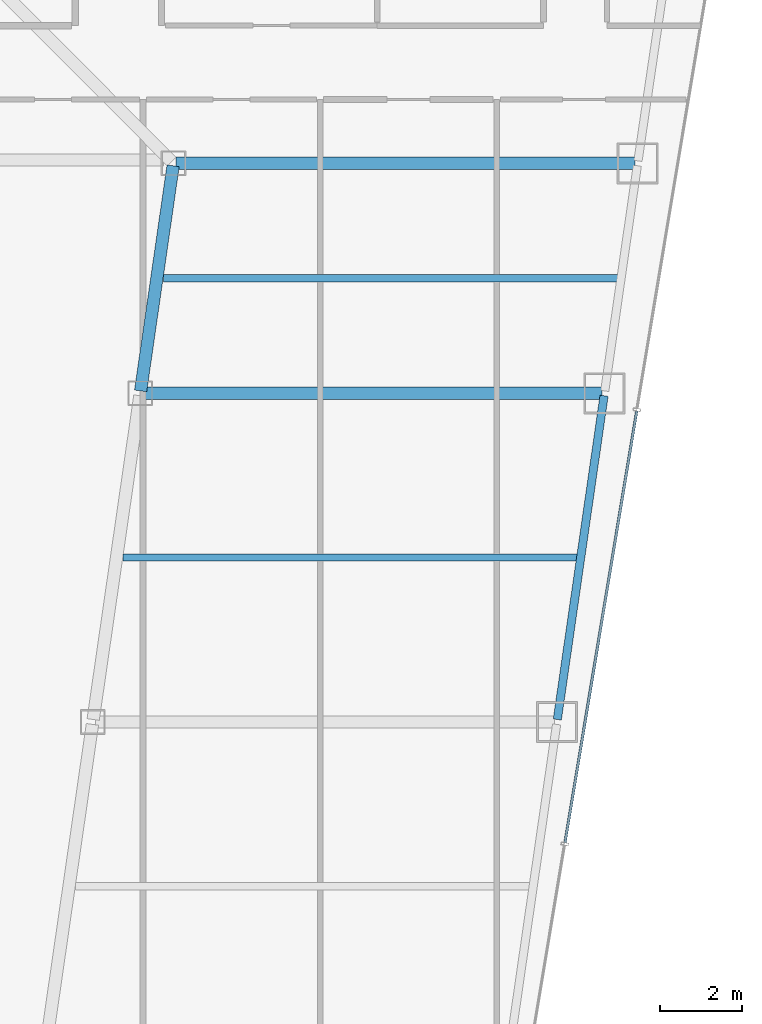
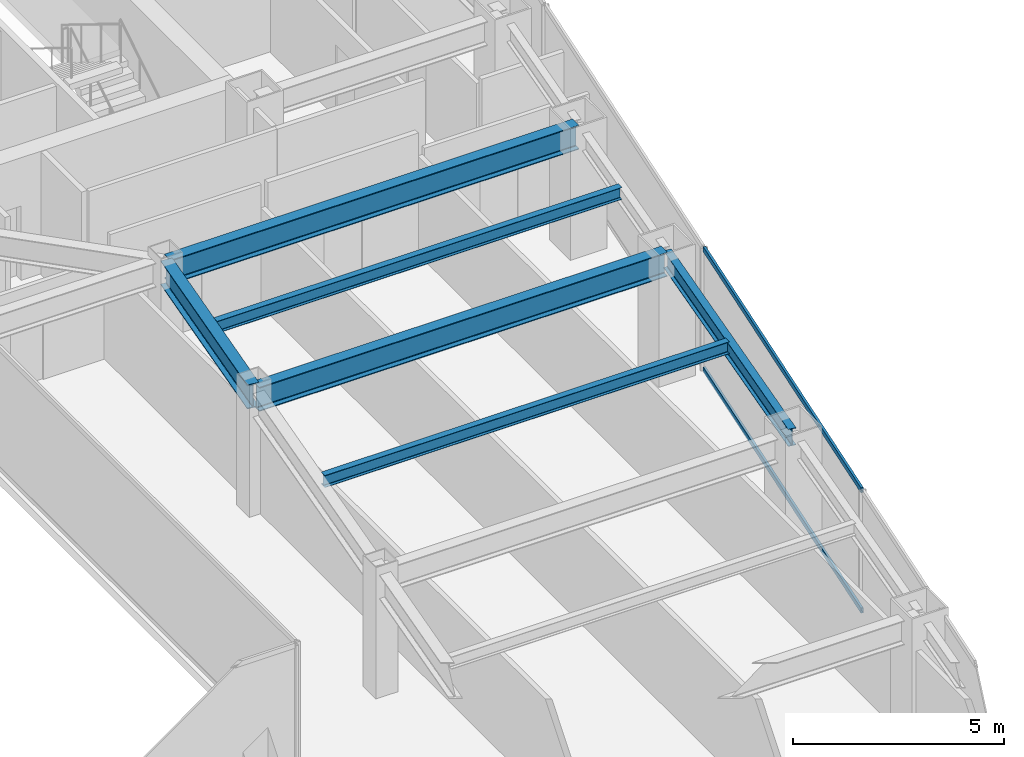
# One storey, part 17 of 36: 6 beams, 2 members, 1 element without a shape of its own.
"""IFC4 building model written with IfcOpenShell, lengths in metres."""

from ifc_helpers import new_model, si_unit, direction, frame, origin, origin_2d, place, context, subcontext, project, spatial, hollow_rectangle, i_section, extrude, material, material_profile, profile_set, type_object, element, aggregate, save


model = new_model("IFC4")

# Units and contexts
model_context = context("Model", 3, precision=1e-05, world=origin(), true_north=direction((0.0, 1.0)))
body_context = subcontext(model_context, "Body", "Model", "MODEL_VIEW")
ifc_project = project(units=[si_unit("LENGTHUNIT", "METRE"), si_unit("AREAUNIT", "SQUARE_METRE"), si_unit("VOLUMEUNIT", "CUBIC_METRE"), si_unit("PLANEANGLEUNIT", "RADIAN"), si_unit("MASSUNIT", "GRAM", prefix="KILO")], contexts=[model_context])

# Site, building, storey
site_placement = place(None, origin())
site = spatial("IfcSite", under=ifc_project, at=site_placement, CompositionType="ELEMENT")
building_placement = place(site_placement, origin())
building = spatial("IfcBuilding", under=site, at=building_placement, Name="Saevonmaru Cultural Tower", CompositionType="ELEMENT")
storey_placement = place(building_placement, frame((0.0, 0.0, 148.60009765625)))
storey = spatial("IfcBuildingStorey", under=building, at=storey_placement, Name="L32", CompositionType="ELEMENT", Elevation=148.60009765625)

# Beams
ifc_material_1 = material(Name="Steel SM355", Category="steel")
ifc_material_profile_1 = material_profile(ifc_material_1, i_section(OverallWidth=0.300048828125, OverallDepth=0.699951171875, WebThickness=0.012939453125, FlangeThickness=0.02392578125, FilletRadius=0.02587890625, at=origin_2d()), Name="H-700x300x13x24")
ifc_profile_set_1 = profile_set([ifc_material_profile_1], Name="Steel SM355")
beam_type_1 = type_object("IfcBeamType", Name="BM-G-H700", PredefinedType="BEAM", material=ifc_profile_set_1)
beam_1_placement = place(storey_placement, frame((40.3916015625, 32.059326171875, 3.199951171875), z_axis=(0.142964121327, 0.989727871697, 0.0), x_axis=(-0.989727871697, 0.142964121327, 0.0)))
element("IfcBeam", 1, at=beam_1_placement, inside=storey, type_object=beam_type_1, Name="L32 East Atrium Girder 4", PredefinedType="BEAM", context=body_context, shape_type="SweptSolid", body=[
    extrude(i_section(OverallWidth=0.300048828125, OverallDepth=0.699951171875, WebThickness=0.012939453125, FlangeThickness=0.02392578125, FilletRadius=0.02587890625, at=origin_2d()), origin(), (0.0, 0.0, 1.0), 5.5380859375),
])
for number, where, z_axis, x_axis, name in (
    (2, (40.443115234375, 32.0, 3.199951171875), (1.0, 0.0, 0.0), (0.0, 1.0, 0.0), "L32 East Wing Transverse Girder 4"),
    (3, (41.251953125, 37.60009765625, 3.199951171875), (1.0, 0.0, 0.0), (0.0, 1.0, 0.0), "L32 East Wing Transverse Girder 5"),
):
    element("IfcBeam", number, at=place(storey_placement, frame(where, z_axis=z_axis, x_axis=x_axis)), inside=storey, type_object=beam_type_1, Name=name, PredefinedType="BEAM", context=body_context, shape_type="SweptSolid", body=[
        extrude(i_section(OverallWidth=0.300048828125, OverallDepth=0.699951171875, WebThickness=0.012939453125, FlangeThickness=0.02392578125, FilletRadius=0.02587890625, at=origin_2d()), origin(), (0.0, 0.0, 1.0), 11.179931640625),
    ])
ifc_material_profile_2 = material_profile(ifc_material_1, i_section(OverallWidth=0.175048828125, OverallDepth=0.35009765625, WebThickness=0.007080078125, FlangeThickness=0.010986328125, FilletRadius=0.012939453125, at=origin_2d()), Name="H-350x175x7x11")
ifc_profile_set_2 = profile_set([ifc_material_profile_2], Name="Steel SM355")
beam_type_2 = type_object("IfcBeamType", Name="BM-J-H350", PredefinedType="JOIST", material=ifc_profile_set_2)
for number, where, z_axis, x_axis, name in (
    (4, (39.96337890625, 28.0, 3.375), (1.0, 0.0, 0.0), (0.0, 1.0, 0.0), "L32 East Wing Floor Joist 3"),
    (5, (40.945556640625, 34.800048828125, 3.375), (1.0, 0.0, 0.0), (0.0, 1.0, 0.0), "L32 East Wing Floor Joist 4"),
):
    element("IfcBeam", number, at=place(storey_placement, frame(where, z_axis=z_axis, x_axis=x_axis)), inside=storey, type_object=beam_type_2, Name=name, PredefinedType="JOIST", context=body_context, shape_type="SweptSolid", body=[
        extrude(i_section(OverallWidth=0.175048828125, OverallDepth=0.35009765625, WebThickness=0.007080078125, FlangeThickness=0.010986328125, FilletRadius=0.012939453125, at=origin_2d()), origin(), (0.0, 0.0, 1.0), 11.08203125),
    ])
ifc_material_profile_3 = material_profile(ifc_material_1, i_section(OverallWidth=0.199951171875, OverallDepth=0.5, WebThickness=0.010009765625, FlangeThickness=0.01611328125, FilletRadius=0.02001953125, at=origin_2d()), Name="H-500x200x10x16")
ifc_profile_set_3 = profile_set([ifc_material_profile_3], Name="Steel SM355")
beam_type_3 = type_object("IfcBeamType", Name="BM-SP-H500", PredefinedType="SPANDREL", material=ifc_profile_set_3)
beam_2_placement = place(storey_placement, frame((50.53662109375, 24.059326171875, 3.2998046875), z_axis=(0.142871999001, 0.989741174197, 0.0), x_axis=(-0.989741174197, 0.142871999001, 0.0)))
element("IfcBeam", 6, at=beam_2_placement, inside=storey, type_object=beam_type_3, Name="L32 East Splayed Spandrel 3", PredefinedType="SPANDREL", context=body_context, shape_type="SweptSolid", body=[
    extrude(i_section(OverallWidth=0.199951171875, OverallDepth=0.5, WebThickness=0.010009765625, FlangeThickness=0.01611328125, FilletRadius=0.02001953125, at=origin_2d()), origin(), (0.0, 0.0, 1.0), 7.963134765625),
])

# Curtain wall, members
ifc_material_2 = material(Name="Satin Bronze Anodised Aluminium", Category="aluminium")
curtain_wall_type = type_object("IfcCurtainWallType", Name="CW-TYP-A", PredefinedType="NOTDEFINED", material=ifc_material_2)
curtain_wall_placement = place(storey_placement, origin())
curtain_wall = element("IfcCurtainWall", 7, at=curtain_wall_placement, inside=storey, type_object=curtain_wall_type, Name="L32 Unitised Curtain Wall E8", PredefinedType="NOTDEFINED")
ifc_material_profile_4 = material_profile(ifc_material_2, hollow_rectangle(XDim=0.06494140625, YDim=0.14990234375, WallThickness=0.00390625, at=origin_2d()), Name="ALU-TRAN-150x65x4")
ifc_profile_set_4 = profile_set([ifc_material_profile_4], Name="Satin Bronze Anodised Aluminium")
member_type = type_object("IfcMemberType", Name="TR-CW-150x65", PredefinedType="USERDEFINED", material=ifc_profile_set_4)
member_1_placement = place(storey_placement, frame((50.7236328125, 21.061767578125, 0.032470703125), z_axis=(0.163993787386, 0.98646137162, 0.0), x_axis=(-0.98646137162, 0.163993787386, 0.0)))
member_1 = element("IfcMember", 8, at=member_1_placement, type_object=member_type, Name="CW-TW-L32-E8 transom 2.1", ObjectType="TRANSOM", PredefinedType="USERDEFINED", context=body_context, shape_type="SweptSolid", body=[
    extrude(hollow_rectangle(XDim=0.06494140625, YDim=0.14990234375, WallThickness=0.00390625, at=origin_2d()), origin(), (0.0, 0.0, 1.0), 10.650390625),
])
member_2_placement = place(storey_placement, frame((50.7236328125, 21.061767578125, 3.517333984375), z_axis=(0.163993787386, 0.98646137162, 0.0), x_axis=(-0.98646137162, 0.163993787386, 0.0)))
member_2 = element("IfcMember", 9, at=member_2_placement, type_object=member_type, Name="CW-TW-L32-E8 transom 2.2", ObjectType="TRANSOM", PredefinedType="USERDEFINED", context=body_context, shape_type="SweptSolid", body=[
    extrude(hollow_rectangle(XDim=0.06494140625, YDim=0.14990234375, WallThickness=0.00390625, at=origin_2d()), origin(), (0.0, 0.0, 1.0), 10.650390625),
])
aggregate(curtain_wall, [member_1, member_2])

save(model, "model.ifc")
